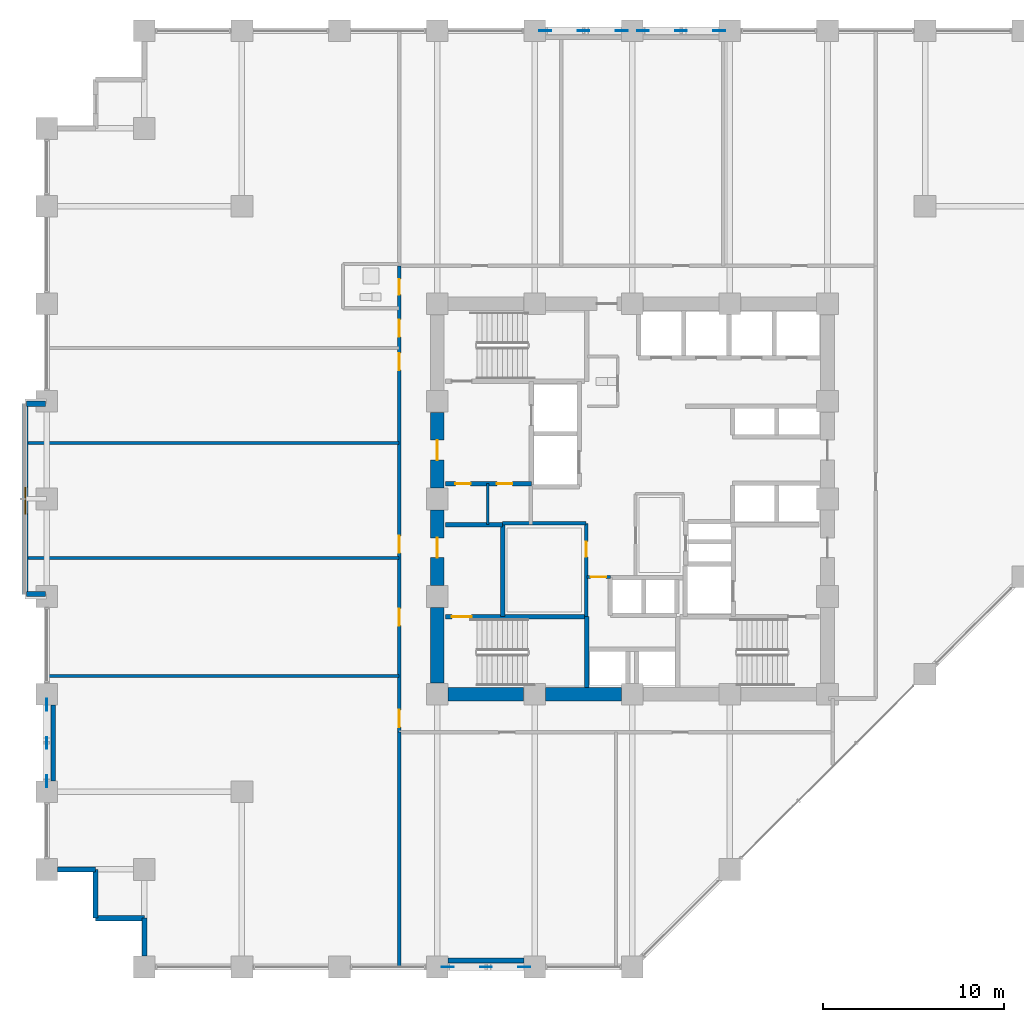
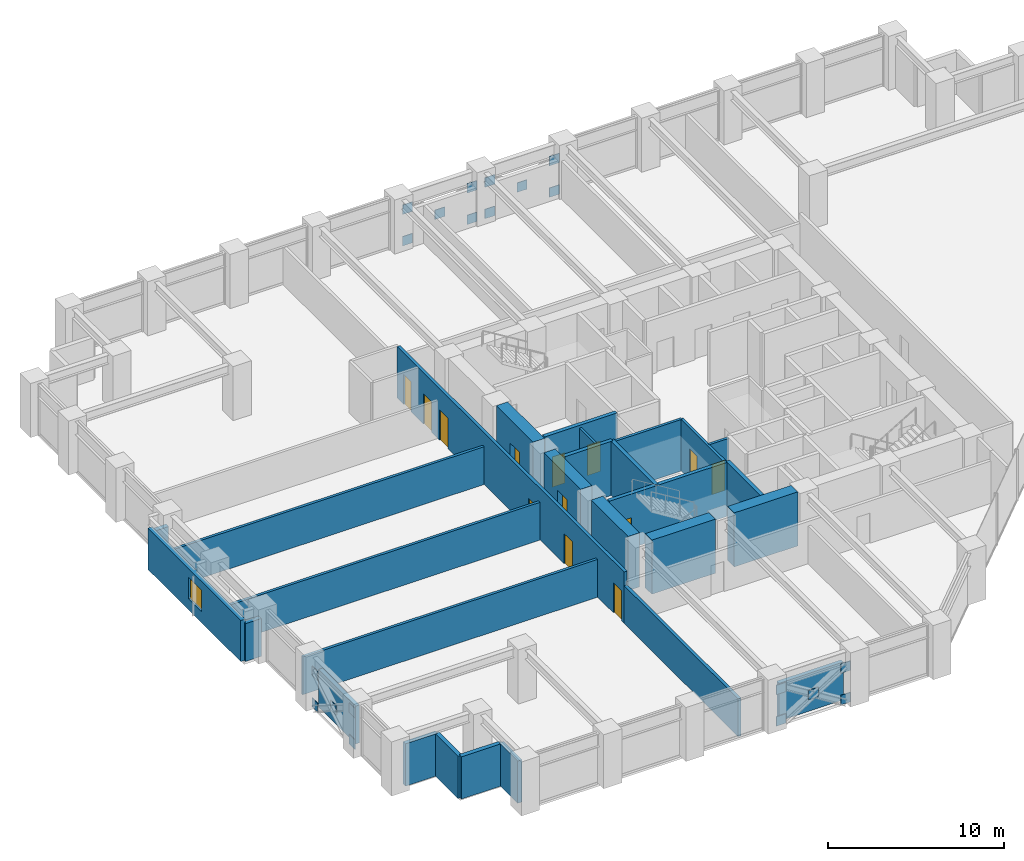
# One storey, part 19 of 26: 28 walls, 20 plates, 13 doors, 1 window, 14 openings.
"""IFC4 building model written with IfcOpenShell, lengths in metres."""

from ifc_helpers import new_model, si_unit, direction, frame, frame_2d, origin, origin_2d, place, context, subcontext, project, spatial, rectangle, extrude, material, layer, layer_set, type_object, element, fill, save


model = new_model("IFC4")

# Units and contexts
model_context = context("Model", 3, precision=1e-05, world=origin(), true_north=direction((0.0, 1.0)))
body_context = subcontext(model_context, "Body", "Model", "MODEL_VIEW")
ifc_project = project(units=[si_unit("LENGTHUNIT", "METRE"), si_unit("AREAUNIT", "SQUARE_METRE"), si_unit("VOLUMEUNIT", "CUBIC_METRE"), si_unit("PLANEANGLEUNIT", "RADIAN"), si_unit("MASSUNIT", "GRAM", prefix="KILO")], contexts=[model_context])

# Site, building, storey
site_placement = place(None, origin())
site = spatial("IfcSite", under=ifc_project, at=site_placement, CompositionType="ELEMENT")
building_placement = place(site_placement, origin())
building = spatial("IfcBuilding", under=site, at=building_placement, Name="Surkhivell Harbour Commons", CompositionType="ELEMENT")
storey_placement = place(building_placement, frame((0.0, 0.0, 60.0)))
storey = spatial("IfcBuildingStorey", under=building, at=storey_placement, Name="L15", CompositionType="ELEMENT", Elevation=60.0)

# Plates
ifc_material_1 = material(Name="Steel S460", Category="steel")
ifc_layer_1 = layer(ifc_material_1, 0.044921875)
ifc_layer_set_1 = layer_set([ifc_layer_1], Name="Steel S460")
plate_type = type_object("IfcPlateType", Name="PLT-GUS-650", PredefinedType="USERDEFINED", material=ifc_layer_set_1)
for number, where, z_axis, x_axis, name in (
    (1, (-4.81494140625, 25.89990234375, -0.08935546875), (0.0, 0.0, 1.0), (1.0, 0.0, 0.0), "L15 Perimeter Mega-Brace MB- Corner Gusset N-1"),
    (2, (-0.5849609375, 25.89990234375, -0.08935546875), (0.0, 0.0, 1.0), (1.0, 0.0, 0.0), "L15 Perimeter Mega-Brace MB- Corner Gusset N-2"),
    (3, (-4.81494140625, 25.89990234375, 2.094482421875), (0.0, 0.0, 1.0), (1.0, 0.0, 0.0), "L15 Perimeter Mega-Brace MB- Corner Gusset N-3"),
    (4, (-0.5849609375, 25.89990234375, 2.094482421875), (0.0, 0.0, 1.0), (1.0, 0.0, 0.0), "L15 Perimeter Mega-Brace MB- Corner Gusset N-4"),
    (5, (-2.699951171875, 25.89990234375, 1.00244140625), (0.0, 0.0, 1.0), (1.0, 0.0, 0.0), "L15 Perimeter Mega-Brace MB- Central Crossing Gusset N"),
    (6, (0.5849609375, 25.89990234375, -0.08935546875), (0.0, 0.0, 1.0), (1.0, 0.0, 0.0), "L15 Perimeter Mega-Brace MB- Corner Gusset N2-1"),
    (7, (4.81494140625, 25.89990234375, -0.08935546875), (0.0, 0.0, 1.0), (1.0, 0.0, 0.0), "L15 Perimeter Mega-Brace MB- Corner Gusset N2-2"),
    (8, (0.5849609375, 25.89990234375, 2.094482421875), (0.0, 0.0, 1.0), (1.0, 0.0, 0.0), "L15 Perimeter Mega-Brace MB- Corner Gusset N2-3"),
    (9, (4.81494140625, 25.89990234375, 2.094482421875), (0.0, 0.0, 1.0), (1.0, 0.0, 0.0), "L15 Perimeter Mega-Brace MB- Corner Gusset N2-4"),
    (10, (2.699951171875, 25.89990234375, 1.00244140625), (0.0, 0.0, 1.0), (1.0, 0.0, 0.0), "L15 Perimeter Mega-Brace MB- Central Crossing Gusset N2"),
    (11, (-10.215087890625, -25.89990234375, -0.08935546875), (0.0, 0.0, 1.0), (1.0, 0.0, 0.0), "L15 Perimeter Mega-Brace MB- Corner Gusset S-1"),
    (12, (-5.985107421875, -25.89990234375, -0.08935546875), (0.0, 0.0, 1.0), (1.0, 0.0, 0.0), "L15 Perimeter Mega-Brace MB- Corner Gusset S-2"),
    (13, (-10.215087890625, -25.89990234375, 2.094482421875), (0.0, 0.0, 1.0), (1.0, 0.0, 0.0), "L15 Perimeter Mega-Brace MB- Corner Gusset S-3"),
    (14, (-5.985107421875, -25.89990234375, 2.094482421875), (0.0, 0.0, 1.0), (1.0, 0.0, 0.0), "L15 Perimeter Mega-Brace MB- Corner Gusset S-4"),
    (15, (-8.10009765625, -25.89990234375, 1.00244140625), (0.0, 0.0, 1.0), (1.0, 0.0, 0.0), "L15 Perimeter Mega-Brace MB- Central Crossing Gusset S"),
    (16, (-32.39990234375, -15.614990234375, -0.08935546875), (0.0, 0.0, 1.0), (0.0, 1.0, 0.0), "L15 Perimeter Mega-Brace MB- Corner Gusset W-1"),
    (17, (-32.39990234375, -11.385009765625, -0.08935546875), (0.0, 0.0, 1.0), (0.0, 1.0, 0.0), "L15 Perimeter Mega-Brace MB- Corner Gusset W-2"),
    (18, (-32.39990234375, -15.614990234375, 2.094482421875), (0.0, 0.0, 1.0), (0.0, 1.0, 0.0), "L15 Perimeter Mega-Brace MB- Corner Gusset W-3"),
    (19, (-32.39990234375, -11.385009765625, 2.094482421875), (0.0, 0.0, 1.0), (0.0, 1.0, 0.0), "L15 Perimeter Mega-Brace MB- Corner Gusset W-4"),
    (20, (-32.39990234375, -13.5, 1.00244140625), (0.0, 0.0, 1.0), (0.0, 1.0, 0.0), "L15 Perimeter Mega-Brace MB- Central Crossing Gusset W"),
):
    element("IfcPlate", number, at=place(storey_placement, frame(where, z_axis=z_axis, x_axis=x_axis)), inside=storey, type_object=plate_type, Name=name, ObjectType="GUSSET_PLATE", PredefinedType="USERDEFINED", context=body_context, shape_type="SweptSolid", body=[
        extrude(rectangle(XDim=0.64990234375, YDim=0.044921875, at=origin_2d()), origin(), (0.0, 0.0, 1.0), 0.64990234375),
    ])

# Walls
ifc_material_2 = material(Name="Concrete C60/75", Category="concrete")
ifc_layer_2 = layer(ifc_material_2, 0.75)
ifc_layer_set_2 = layer_set([ifc_layer_2], Name="Concrete C60/75")
wall_type_1 = type_object("IfcWallType", Name="WAL-CORE-750", PredefinedType="SHEAR", material=ifc_layer_set_2)
for number, where, z_axis, x_axis, name in (
    (21, (-10.18994140625, -10.800048828125, 0.0), (0.0, 0.0, 1.0), (1.0, 0.0, 0.0), "L15 Core Shear Wall South 1"),
    (22, (-10.800048828125, -10.18994140625, 0.0), (0.0, 0.0, 1.0), (0.0, 1.0, 0.0), "L15 Core Shear Wall West 1"),
    (23, (-4.7900390625, -10.800048828125, 0.0), (0.0, 0.0, 1.0), (1.0, 0.0, 0.0), "L15 Core Shear Wall South 2"),
):
    element("IfcWall", number, at=place(storey_placement, frame(where, z_axis=z_axis, x_axis=x_axis)), inside=storey, type_object=wall_type_1, Name=name, PredefinedType="SHEAR", context=body_context, shape_type="SweptSolid", body=[
        extrude(rectangle(XDim=4.179931640625, YDim=0.75, at=frame_2d((2.08984375, 0.0))), origin(), (0.0, 0.0, 1.0), 3.75),
    ])

# Wall, opening, door
wall_1_placement = place(storey_placement, frame((-10.800048828125, -4.7900390625, 0.0), z_axis=(0.0, 0.0, 1.0), x_axis=(0.0, 1.0, 0.0)))
wall_1 = element("IfcWall", 24, at=wall_1_placement, inside=storey, type_object=wall_type_1, Name="L15 Core Shear Wall West 2", PredefinedType="SHEAR", context=body_context, shape_type="SweptSolid", body=[
    extrude(rectangle(XDim=4.179931640625, YDim=0.75, at=frame_2d((2.08984375, 0.0))), origin(), (0.0, 0.0, 1.0), 3.75),
])
opening_1_placement = place(wall_1_placement, frame((1.5400390625, 0.0, 0.0)))
opening_1 = element("IfcOpeningElement", 25, at=opening_1_placement, cuts=wall_1, Name="Opening ID-2", PredefinedType="OPENING", context=body_context, shape_type="SweptSolid", body=[
    extrude(rectangle(XDim=1.10009765625, YDim=2.10009765625, at=frame_2d((0.550048828125, 1.050048828125))), frame((0.0, 0.385009765625, 0.0), z_axis=(0.0, -1.0, 0.0), x_axis=(1.0, 0.0, 0.0)), (0.0, 0.0, 1.0), 0.77001953125),
])
ifc_material_3 = material(Name="Hardwood-veneered fire-rated door leaf", Category="wood")
door_type_1 = type_object("IfcDoorType", Name="DOR-FD60-1100", OperationType="NOTDEFINED", PredefinedType="DOOR", material=ifc_material_3)
door_1_placement = place(opening_1_placement, origin())
door_1 = element("IfcDoor", 26, at=door_1_placement, inside=storey, type_object=door_type_1, Name="L15 Stair 3 Lobby Corridor Door", OperationType="SINGLE_SWING_LEFT", OverallHeight=2.10009765625, OverallWidth=1.10009765625, PredefinedType="DOOR", context=body_context, shape_type="SweptSolid", body=[
    extrude(rectangle(XDim=1.10009765625, YDim=2.10009765625, at=frame_2d((0.550048828125, 1.050048828125))), frame((0.0, 0.02490234375, 0.0), z_axis=(0.0, -1.0, 0.0), x_axis=(1.0, 0.0, 0.0)), (0.0, 0.0, 1.0), 0.050048828125),
])
fill(opening_1, door_1)

wall_2_placement = place(storey_placement, frame((-10.800048828125, 0.610107421875, 0.0), z_axis=(0.0, 0.0, 1.0), x_axis=(0.0, 1.0, 0.0)))
wall_2 = element("IfcWall", 27, at=wall_2_placement, inside=storey, type_object=wall_type_1, Name="L15 Core Shear Wall West 3", PredefinedType="SHEAR", context=body_context, shape_type="SweptSolid", body=[
    extrude(rectangle(XDim=4.179931640625, YDim=0.75, at=frame_2d((2.08984375, 0.0))), origin(), (0.0, 0.0, 1.0), 3.75),
])
opening_2_placement = place(wall_2_placement, frame((1.5400390625, 0.0, 0.0)))
opening_2 = element("IfcOpeningElement", 28, at=opening_2_placement, cuts=wall_2, Name="Opening ID-1", PredefinedType="OPENING", context=body_context, shape_type="SweptSolid", body=[
    extrude(rectangle(XDim=1.10009765625, YDim=2.10009765625, at=frame_2d((0.550048828125, 1.050048828125))), frame((0.0, 0.385009765625, 0.0), z_axis=(0.0, -1.0, 0.0), x_axis=(1.0, 0.0, 0.0)), (0.0, 0.0, 1.0), 0.77001953125),
])
door_type_2 = type_object("IfcDoorType", Name="DOR-FD120-1100", OperationType="NOTDEFINED", PredefinedType="DOOR", material=ifc_material_3)
door_2_placement = place(opening_2_placement, origin())
door_2 = element("IfcDoor", 29, at=door_2_placement, inside=storey, type_object=door_type_2, Name="L15 Firefighting Lobby 1 Corridor Door", OperationType="SINGLE_SWING_LEFT", OverallHeight=2.10009765625, OverallWidth=1.10009765625, PredefinedType="DOOR", context=body_context, shape_type="SweptSolid", body=[
    extrude(rectangle(XDim=1.10009765625, YDim=2.10009765625, at=frame_2d((0.550048828125, 1.050048828125))), frame((0.0, 0.02490234375, 0.0), z_axis=(0.0, -1.0, 0.0), x_axis=(1.0, 0.0, 0.0)), (0.0, 0.0, 1.0), 0.050048828125),
])
fill(opening_2, door_2)

# Wall, opening, window
ifc_material_4 = material(Name="Flemish-bond kiln brick and precast concrete C45/55", Category="masonry")
ifc_layer_3 = layer(ifc_material_4, 0.300048828125)
ifc_layer_set_3 = layer_set([ifc_layer_3], Name="Flemish-bond kiln brick and precast concrete C45/55")
wall_type_2 = type_object("IfcWallType", Name="WAL-EXT-BRK300", PredefinedType="STANDARD", material=ifc_layer_set_3)
wall_3_placement = place(storey_placement, frame((-33.60009765625, 5.280029296875, 0.0), z_axis=(0.0, 0.0, 1.0), x_axis=(0.0, -1.0, 0.0)))
wall_3 = element("IfcWall", 30, at=wall_3_placement, inside=storey, type_object=wall_type_2, Name="L15 Coloured Box Front Wall 02", PredefinedType="STANDARD", context=body_context, shape_type="SweptSolid", body=[
    extrude(rectangle(XDim=10.56005859375, YDim=0.300048828125, at=frame_2d((5.280029296875, 0.0))), origin(), (0.0, 0.0, 1.0), 2.85693359375),
])
opening_3_placement = place(wall_3_placement, frame((4.6201171875, 0.0, 0.75)))
opening_3 = element("IfcOpeningElement", 31, at=opening_3_placement, cuts=wall_3, Name="Opening WN-13", PredefinedType="OPENING", context=body_context, shape_type="SweptSolid", body=[
    extrude(rectangle(XDim=1.5, YDim=1.5, at=frame_2d((0.75, 0.75))), frame((0.0, 0.159912109375, 0.0), z_axis=(0.0, -1.0, 0.0), x_axis=(1.0, 0.0, 0.0)), (0.0, 0.0, 1.0), 0.320068359375),
])
ifc_material_5 = material(Name="Thermal-break aluminium frame and double low-E glazing", Category="aluminium")
window_type = type_object("IfcWindowType", Name="WIN-BOX-1500x1500", PartitioningType="SINGLE_PANEL", PredefinedType="WINDOW", material=ifc_material_5)
window_placement = place(opening_3_placement, origin())
window = element("IfcWindow", 32, at=window_placement, inside=storey, type_object=window_type, Name="L15 Coloured Box Square Window 02-1", OverallHeight=1.5, OverallWidth=1.5, PartitioningType="SINGLE_PANEL", PredefinedType="WINDOW", context=body_context, shape_type="SweptSolid", body=[
    extrude(rectangle(XDim=1.5, YDim=1.5, at=frame_2d((0.75, 0.75))), frame((0.0, 0.030029296875, 0.0), z_axis=(0.0, -1.0, 0.0), x_axis=(1.0, 0.0, 0.0)), (0.0, 0.0, 1.0), 0.06005859375),
])
fill(opening_3, window)

# Walls
for number, where, z_axis, x_axis, name in (
    (33, (-33.52001953125, -5.260009765625, 0.0), (0.0, 0.0, 1.0), (1.0, 0.0, 0.0), "L15 Coloured Box Return Wall 02S"),
    (34, (-33.52001953125, 5.260009765625, 0.0), (0.0, 0.0, 1.0), (1.0, 0.0, 0.0), "L15 Coloured Box Return Wall 02N"),
):
    element("IfcWall", number, at=place(storey_placement, frame(where, z_axis=z_axis, x_axis=x_axis)), inside=storey, type_object=wall_type_2, Name=name, PredefinedType="STANDARD", context=body_context, shape_type="SweptSolid", body=[
        extrude(rectangle(XDim=1.0400390625, YDim=0.300048828125, at=frame_2d((0.52001953125, 0.0))), origin(), (0.0, 0.0, 1.0), 2.623046875),
    ])
ifc_material_6 = material(Name="Pale-metal insulated precast concrete C45/55", Category="concrete")
ifc_layer_4 = layer(ifc_material_6, 0.260009765625)
ifc_layer_set_4 = layer_set([ifc_layer_4], Name="Pale-metal insulated precast concrete C45/55")
wall_type_3 = type_object("IfcWallType", Name="WAL-EXT-MTL260", PredefinedType="STANDARD", material=ifc_layer_set_4)
wall_4_placement = place(storey_placement, frame((-10.201904296875, -25.5400390625, 0.0), z_axis=(0.0, 0.0, 1.0), x_axis=(1.0, 0.0, 0.0)))
element("IfcWall", 35, at=wall_4_placement, inside=storey, type_object=wall_type_3, Name="L15 Braced-Bay Insulated Spandrel Backing S", PredefinedType="STANDARD", context=body_context, shape_type="SweptSolid", body=[
    extrude(rectangle(XDim=4.203857421875, YDim=0.260009765625, at=frame_2d((2.10205078125, 0.0))), origin(), (0.0, 0.0, 1.0), 2.623046875),
])
wall_5_placement = place(storey_placement, frame((-32.0400390625, -15.60205078125, 0.0), z_axis=(0.0, 0.0, 1.0), x_axis=(0.0, 1.0, 0.0)))
element("IfcWall", 36, at=wall_5_placement, inside=storey, type_object=wall_type_3, Name="L15 Braced-Bay Insulated Spandrel Backing W", PredefinedType="STANDARD", context=body_context, shape_type="SweptSolid", body=[
    extrude(rectangle(XDim=4.2041015625, YDim=0.260009765625, at=frame_2d((2.10205078125, 0.0))), origin(), (0.0, 0.0, 1.0), 2.623046875),
])
ifc_material_7 = material(Name="Terracotta-clad reinforced concrete C45/55", Category="masonry")
ifc_layer_5 = layer(ifc_material_7, 0.280029296875)
ifc_layer_set_5 = layer_set([ifc_layer_5], Name="Terracotta-clad reinforced concrete C45/55")
wall_type_4 = type_object("IfcWallType", Name="WAL-EXT-TER280", PredefinedType="STANDARD", material=ifc_layer_set_5)
wall_6_placement = place(storey_placement, frame((-31.802001953125, -20.5, 0.0), z_axis=(0.0, 0.0, 1.0), x_axis=(1.0, 0.0, 0.0)))
element("IfcWall", 37, at=wall_6_placement, inside=storey, type_object=wall_type_4, Name="L15 Serrated Corner Facade Wall 13", PredefinedType="STANDARD", context=body_context, shape_type="SweptSolid", body=[
    extrude(rectangle(XDim=2.10205078125, YDim=0.280029296875, at=frame_2d((1.051025390625, 0.0))), origin(), (0.0, 0.0, 1.0), 2.929931640625),
])
for number, where, z_axis, x_axis, name in (
    (38, (-29.699951171875, -20.5, 0.0), (0.0, 0.0, 1.0), (0.0, -1.0, 0.0), "L15 Serrated Corner Facade Wall 14"),
    (39, (-29.699951171875, -23.199951171875, 0.0), (0.0, 0.0, 1.0), (1.0, 0.0, 0.0), "L15 Serrated Corner Facade Wall 15"),
):
    element("IfcWall", number, at=place(storey_placement, frame(where, z_axis=z_axis, x_axis=x_axis)), inside=storey, type_object=wall_type_4, Name=name, PredefinedType="STANDARD", context=body_context, shape_type="SweptSolid", body=[
        extrude(rectangle(XDim=2.699951171875, YDim=0.280029296875, at=frame_2d((1.35009765625, 0.0))), origin(), (0.0, 0.0, 1.0), 2.929931640625),
    ])
wall_7_placement = place(storey_placement, frame((-27.0, -23.199951171875, 0.0), z_axis=(0.0, 0.0, 1.0), x_axis=(0.0, -1.0, 0.0)))
element("IfcWall", 40, at=wall_7_placement, inside=storey, type_object=wall_type_4, Name="L15 Serrated Corner Facade Wall 16", PredefinedType="STANDARD", context=body_context, shape_type="SweptSolid", body=[
    extrude(rectangle(XDim=2.10205078125, YDim=0.280029296875, at=frame_2d((1.051025390625, 0.0))), origin(), (0.0, 0.0, 1.0), 2.929931640625),
])
ifc_material_8 = material(Name="Twin-stud acoustic fireboard partition", Category="other")
ifc_layer_6 = layer(ifc_material_8, 0.14990234375)
ifc_layer_set_6 = layer_set([ifc_layer_6], Name="Twin-stud acoustic fireboard partition")
wall_type_5 = type_object("IfcWallType", Name="WAL-INT-150", PredefinedType="PARTITIONING", material=ifc_layer_set_6)
wall_8_placement = place(storey_placement, frame((-8.0, -1.419921875, 0.0), z_axis=(0.0, 0.0, 1.0), x_axis=(0.0, 1.0, 0.0)))
element("IfcWall", 41, at=wall_8_placement, inside=storey, type_object=wall_type_5, Name="L15 West Core Cut D1", PredefinedType="PARTITIONING", context=body_context, shape_type="SweptSolid", body=[
    extrude(rectangle(XDim=2.27001953125, YDim=0.14990234375, at=frame_2d((1.135009765625, 0.0))), origin(), (0.0, 0.0, 1.0), 3.570068359375),
])

# Wall, opening, door
ifc_material_9 = material(Name="High-density acoustic blockwork fire partition", Category="masonry")
ifc_layer_7 = layer(ifc_material_9, 0.175048828125)
ifc_layer_set_7 = layer_set([ifc_layer_7], Name="High-density acoustic blockwork fire partition")
wall_type_6 = type_object("IfcWallType", Name="WAL-INT-175", PredefinedType="PARTITIONING", material=ifc_layer_set_7)
wall_9_placement = place(storey_placement, frame((-2.550048828125, -6.510009765625, 0.0), z_axis=(0.0, 0.0, 1.0), x_axis=(0.0, 1.0, 0.0)))
wall_9 = element("IfcWall", 42, at=wall_9_placement, inside=storey, type_object=wall_type_6, Name="L15 Core Service Bay East Wall", PredefinedType="PARTITIONING", context=body_context, shape_type="SweptSolid", body=[
    extrude(rectangle(XDim=5.159912109375, YDim=0.175048828125, at=frame_2d((2.580078125, 0.0))), origin(), (0.0, 0.0, 1.0), 3.570068359375),
])
opening_4_placement = place(wall_9_placement, frame((3.300048828125, 0.0, 0.0)))
opening_4 = element("IfcOpeningElement", 43, at=opening_4_placement, cuts=wall_9, Name="Opening ID-6", PredefinedType="OPENING", context=body_context, shape_type="SweptSolid", body=[
    extrude(rectangle(XDim=0.85009765625, YDim=2.10009765625, at=frame_2d((0.425048828125, 1.050048828125))), frame((0.0, 0.097412109375, 0.0), z_axis=(0.0, -1.0, 0.0), x_axis=(1.0, 0.0, 0.0)), (0.0, 0.0, 1.0), 0.195068359375),
])
door_type_3 = type_object("IfcDoorType", Name="DOR-FD30-850", OperationType="NOTDEFINED", PredefinedType="DOOR", material=ifc_material_3)
door_3_placement = place(opening_4_placement, origin())
door_3 = element("IfcDoor", 44, at=door_3_placement, inside=storey, type_object=door_type_3, Name="L15 Core Quiet Reading Door", OperationType="SINGLE_SWING_RIGHT", OverallHeight=2.10009765625, OverallWidth=0.85009765625, PredefinedType="DOOR", context=body_context, shape_type="SweptSolid", body=[
    extrude(rectangle(XDim=0.85009765625, YDim=2.10009765625, at=frame_2d((0.425048828125, 1.050048828125))), frame((0.0, 0.02490234375, 0.0), z_axis=(0.0, -1.0, 0.0), x_axis=(1.0, 0.0, 0.0)), (0.0, 0.0, 1.0), 0.050048828125),
])
fill(opening_4, door_3)

# Wall
wall_10_placement = place(storey_placement, frame((-7.179931640625, -1.35009765625, 0.0), z_axis=(0.0, 0.0, 1.0), x_axis=(1.0, 0.0, 0.0)))
element("IfcWall", 45, at=wall_10_placement, inside=storey, type_object=wall_type_6, Name="L15 Core Service Bay North Wall", PredefinedType="PARTITIONING", context=body_context, shape_type="SweptSolid", body=[
    extrude(rectangle(XDim=4.6298828125, YDim=0.175048828125, at=frame_2d((2.31494140625, 0.0))), origin(), (0.0, 0.0, 1.0), 3.570068359375),
])

# Wall, opening, door
wall_11_placement = place(storey_placement, frame((-2.52001953125, -4.320068359375, 0.0), z_axis=(0.0, 0.0, 1.0), x_axis=(1.0, 0.0, 0.0)))
wall_11 = element("IfcWall", 46, at=wall_11_placement, inside=storey, type_object=wall_type_6, Name="L15 High-Rise Lobby North Portal Wall", PredefinedType="PARTITIONING", context=body_context, shape_type="SweptSolid", body=[
    extrude(rectangle(XDim=1.300048828125, YDim=0.175048828125, at=frame_2d((0.64990234375, 0.0))), origin(), (0.0, 0.0, 1.0), 3.570068359375),
])
opening_5_placement = place(wall_11_placement, frame((0.219970703125, 0.0, 0.0)))
opening_5 = element("IfcOpeningElement", 47, at=opening_5_placement, cuts=wall_11, Name="Opening ID-6", PredefinedType="OPENING", context=body_context, shape_type="SweptSolid", body=[
    extrude(rectangle(XDim=0.85009765625, YDim=2.10009765625, at=frame_2d((0.425048828125, 1.050048828125))), frame((0.0, 0.097412109375, 0.0), z_axis=(0.0, -1.0, 0.0), x_axis=(1.0, 0.0, 0.0)), (0.0, 0.0, 1.0), 0.195068359375),
])
door_4_placement = place(opening_5_placement, origin())
door_4 = element("IfcDoor", 48, at=door_4_placement, inside=storey, type_object=door_type_3, Name="L15 High-Rise Lift Lobby North Door", OperationType="SINGLE_SWING_LEFT", OverallHeight=2.10009765625, OverallWidth=0.85009765625, PredefinedType="DOOR", context=body_context, shape_type="SweptSolid", body=[
    extrude(rectangle(XDim=0.85009765625, YDim=2.10009765625, at=frame_2d((0.425048828125, 1.050048828125))), frame((0.0, 0.02490234375, 0.0), z_axis=(0.0, -1.0, 0.0), x_axis=(1.0, 0.0, 0.0)), (0.0, 0.0, 1.0), 0.050048828125),
])
fill(opening_5, door_4)

# Walls
for number, where, z_axis, x_axis, name in (
    (49, (-33.5400390625, -3.27001953125, 0.0), (0.0, 0.0, 1.0), (1.0, 0.0, 0.0), "L15 West Partition BDP1"),
    (50, (-33.5400390625, 3.090087890625, 0.0), (0.0, 0.0, 1.0), (1.0, 0.0, 0.0), "L15 West Partition BDP2"),
):
    element("IfcWall", number, at=place(storey_placement, frame(where, z_axis=z_axis, x_axis=x_axis)), inside=storey, type_object=wall_type_6, Name=name, PredefinedType="PARTITIONING", context=body_context, shape_type="SweptSolid", body=[
        extrude(rectangle(XDim=20.64013671875, YDim=0.175048828125, at=frame_2d((10.320068359375, 0.0))), origin(), (0.0, 0.0, 1.0), 2.623046875),
    ])
wall_12_placement = place(storey_placement, frame((-32.340087890625, -9.800048828125, 0.0), z_axis=(0.0, 0.0, 1.0), x_axis=(1.0, 0.0, 0.0)))
element("IfcWall", 51, at=wall_12_placement, inside=storey, type_object=wall_type_6, Name="L15 West Partition PBOT", PredefinedType="PARTITIONING", context=body_context, shape_type="SweptSolid", body=[
    extrude(rectangle(XDim=19.440185546875, YDim=0.175048828125, at=frame_2d((9.72021484375, 0.0))), origin(), (0.0, 0.0, 1.0), 2.623046875),
])
ifc_material_10 = material(Name="Autoclaved aerated concrete blockwork and fire plaster", Category="masonry")
ifc_layer_8 = layer(ifc_material_10, 0.199951171875)
ifc_layer_set_8 = layer_set([ifc_layer_8], Name="Autoclaved aerated concrete blockwork and fire plaster")
wall_type_7 = type_object("IfcWallType", Name="WAL-INT-200", PredefinedType="PARTITIONING", material=ifc_layer_set_8)
wall_13_placement = place(storey_placement, frame((-12.89990234375, -25.840087890625, 0.0), z_axis=(0.0, 0.0, 1.0), x_axis=(0.0, 1.0, 0.0)))
element("IfcWall", 52, at=wall_13_placement, inside=storey, type_object=wall_type_7, Name="L15 South-West Wing Corner Divider", PredefinedType="PARTITIONING", context=body_context, shape_type="SweptSolid", body=[
    extrude(rectangle(XDim=12.940185546875, YDim=0.199951171875, at=frame_2d((6.47021484375, 0.0))), origin(), (0.0, 0.0, 1.0), 2.623046875),
])

# Wall, openings, doors
wall_14_placement = place(storey_placement, frame((-12.89990234375, -12.89990234375, 0.0), z_axis=(0.0, 0.0, 1.0), x_axis=(0.0, 1.0, 0.0)))
wall_14 = element("IfcWall", 53, at=wall_14_placement, inside=storey, type_object=wall_type_7, Name="L15 Corridor West Wall", PredefinedType="PARTITIONING", context=body_context, shape_type="SweptSolid", body=[
    extrude(rectangle(XDim=25.7998046875, YDim=0.199951171875, at=frame_2d((12.89990234375, 0.0))), origin(), (0.0, 0.0, 1.0), 3.570068359375),
])
opening_6_placement = place(wall_14_placement, frame((0.280029296875, 0.0, 0.0)))
opening_6 = element("IfcOpeningElement", 54, at=opening_6_placement, cuts=wall_14, Name="Opening ID-4", PredefinedType="OPENING", context=body_context, shape_type="SweptSolid", body=[
    extrude(rectangle(XDim=0.949951171875, YDim=2.10009765625, at=frame_2d((0.47509765625, 1.050048828125))), frame((0.0, 0.10986328125, 0.0), z_axis=(0.0, -1.0, 0.0), x_axis=(1.0, 0.0, 0.0)), (0.0, 0.0, 1.0), 0.219970703125),
])
opening_7_placement = place(wall_14_placement, frame((24.205078125, 0.0, 0.0)))
opening_7 = element("IfcOpeningElement", 55, at=opening_7_placement, cuts=wall_14, Name="Opening ID-6", PredefinedType="OPENING", context=body_context, shape_type="SweptSolid", body=[
    extrude(rectangle(XDim=0.85009765625, YDim=2.10009765625, at=frame_2d((0.425048828125, 1.050048828125))), frame((0.0, 0.10986328125, 0.0), z_axis=(0.0, -1.0, 0.0), x_axis=(1.0, 0.0, 0.0)), (0.0, 0.0, 1.0), 0.219970703125),
])
opening_8_placement = place(wall_14_placement, frame((21.8701171875, 0.0, 0.0)))
opening_8 = element("IfcOpeningElement", 56, at=opening_8_placement, cuts=wall_14, Name="Opening ID-4", PredefinedType="OPENING", context=body_context, shape_type="SweptSolid", body=[
    extrude(rectangle(XDim=0.949951171875, YDim=2.10009765625, at=frame_2d((0.47509765625, 1.050048828125))), frame((0.0, 0.10986328125, 0.0), z_axis=(0.0, -1.0, 0.0), x_axis=(1.0, 0.0, 0.0)), (0.0, 0.0, 1.0), 0.219970703125),
])
opening_9_placement = place(wall_14_placement, frame((5.885009765625, 0.0, 0.0)))
opening_9 = element("IfcOpeningElement", 57, at=opening_9_placement, cuts=wall_14, Name="Opening ID-4", PredefinedType="OPENING", context=body_context, shape_type="SweptSolid", body=[
    extrude(rectangle(XDim=0.949951171875, YDim=2.10009765625, at=frame_2d((0.47509765625, 1.050048828125))), frame((0.0, 0.10986328125, 0.0), z_axis=(0.0, -1.0, 0.0), x_axis=(1.0, 0.0, 0.0)), (0.0, 0.0, 1.0), 0.219970703125),
])
opening_10_placement = place(wall_14_placement, frame((9.909912109375, 0.0, 0.0)))
opening_10 = element("IfcOpeningElement", 58, at=opening_10_placement, cuts=wall_14, Name="Opening ID-4", PredefinedType="OPENING", context=body_context, shape_type="SweptSolid", body=[
    extrude(rectangle(XDim=0.949951171875, YDim=2.10009765625, at=frame_2d((0.47509765625, 1.050048828125))), frame((0.0, 0.10986328125, 0.0), z_axis=(0.0, -1.0, 0.0), x_axis=(1.0, 0.0, 0.0)), (0.0, 0.0, 1.0), 0.219970703125),
])
opening_11_placement = place(wall_14_placement, frame((20.02001953125, 0.0, 0.0)))
opening_11 = element("IfcOpeningElement", 59, at=opening_11_placement, cuts=wall_14, Name="Opening ID-4", PredefinedType="OPENING", context=body_context, shape_type="SweptSolid", body=[
    extrude(rectangle(XDim=0.949951171875, YDim=2.10009765625, at=frame_2d((0.47509765625, 1.050048828125))), frame((0.0, 0.10986328125, 0.0), z_axis=(0.0, -1.0, 0.0), x_axis=(1.0, 0.0, 0.0)), (0.0, 0.0, 1.0), 0.219970703125),
])
door_5_placement = place(opening_7_placement, origin())
door_5 = element("IfcDoor", 60, at=door_5_placement, inside=storey, type_object=door_type_3, Name="L15 Communal Shower Bathroom West Door", OperationType="SINGLE_SWING_RIGHT", OverallHeight=2.10009765625, OverallWidth=0.85009765625, PredefinedType="DOOR", context=body_context, shape_type="SweptSolid", body=[
    extrude(rectangle(XDim=0.85009765625, YDim=2.10009765625, at=frame_2d((0.425048828125, 1.050048828125))), frame((0.0, 0.02490234375, 0.0), z_axis=(0.0, -1.0, 0.0), x_axis=(1.0, 0.0, 0.0)), (0.0, 0.0, 1.0), 0.050048828125),
])
fill(opening_7, door_5)
door_type_4 = type_object("IfcDoorType", Name="DOR-FD60-950", OperationType="NOTDEFINED", PredefinedType="DOOR", material=ifc_material_3)
door_6_placement = place(opening_6_placement, origin())
door_6 = element("IfcDoor", 61, at=door_6_placement, inside=storey, type_object=door_type_4, Name="L15 Shared Communal Kitchen West Door", OperationType="SINGLE_SWING_LEFT", OverallHeight=2.10009765625, OverallWidth=0.949951171875, PredefinedType="DOOR", context=body_context, shape_type="SweptSolid", body=[
    extrude(rectangle(XDim=0.949951171875, YDim=2.10009765625, at=frame_2d((0.47509765625, 1.050048828125))), frame((0.0, 0.02490234375, 0.0), z_axis=(0.0, -1.0, 0.0), x_axis=(1.0, 0.0, 0.0)), (0.0, 0.0, 1.0), 0.050048828125),
])
fill(opening_6, door_6)
door_7_placement = place(opening_8_placement, origin())
door_7 = element("IfcDoor", 62, at=door_7_placement, inside=storey, type_object=door_type_4, Name="L15 Academic Reading Commons West Door", OperationType="SINGLE_SWING_LEFT", OverallHeight=2.10009765625, OverallWidth=0.949951171875, PredefinedType="DOOR", context=body_context, shape_type="SweptSolid", body=[
    extrude(rectangle(XDim=0.949951171875, YDim=2.10009765625, at=frame_2d((0.47509765625, 1.050048828125))), frame((0.0, 0.02490234375, 0.0), z_axis=(0.0, -1.0, 0.0), x_axis=(1.0, 0.0, 0.0)), (0.0, 0.0, 1.0), 0.050048828125),
])
fill(opening_8, door_7)
door_8_placement = place(opening_9_placement, origin())
door_8 = element("IfcDoor", 63, at=door_8_placement, inside=storey, type_object=door_type_4, Name="L15 Hostel Cluster Bedroom 1 West Door", OperationType="SINGLE_SWING_RIGHT", OverallHeight=2.10009765625, OverallWidth=0.949951171875, PredefinedType="DOOR", context=body_context, shape_type="SweptSolid", body=[
    extrude(rectangle(XDim=0.949951171875, YDim=2.10009765625, at=frame_2d((0.47509765625, 1.050048828125))), frame((0.0, 0.02490234375, 0.0), z_axis=(0.0, -1.0, 0.0), x_axis=(1.0, 0.0, 0.0)), (0.0, 0.0, 1.0), 0.050048828125),
])
fill(opening_9, door_8)
door_9_placement = place(opening_10_placement, origin())
door_9 = element("IfcDoor", 64, at=door_9_placement, inside=storey, type_object=door_type_4, Name="L15 Co-Living Dormitory Bedroom 2 West Door", OperationType="SINGLE_SWING_LEFT", OverallHeight=2.10009765625, OverallWidth=0.949951171875, PredefinedType="DOOR", context=body_context, shape_type="SweptSolid", body=[
    extrude(rectangle(XDim=0.949951171875, YDim=2.10009765625, at=frame_2d((0.47509765625, 1.050048828125))), frame((0.0, 0.02490234375, 0.0), z_axis=(0.0, -1.0, 0.0), x_axis=(1.0, 0.0, 0.0)), (0.0, 0.0, 1.0), 0.050048828125),
])
fill(opening_10, door_9)
door_10_placement = place(opening_11_placement, origin())
door_10 = element("IfcDoor", 65, at=door_10_placement, inside=storey, type_object=door_type_4, Name="L15 Hostel Cluster Bedroom 3 West Door", OperationType="SINGLE_SWING_RIGHT", OverallHeight=2.10009765625, OverallWidth=0.949951171875, PredefinedType="DOOR", context=body_context, shape_type="SweptSolid", body=[
    extrude(rectangle(XDim=0.949951171875, YDim=2.10009765625, at=frame_2d((0.47509765625, 1.050048828125))), frame((0.0, 0.02490234375, 0.0), z_axis=(0.0, -1.0, 0.0), x_axis=(1.0, 0.0, 0.0)), (0.0, 0.0, 1.0), 0.050048828125),
])
fill(opening_11, door_10)

ifc_material_11 = material(Name="Concrete C50/60", Category="concrete")
ifc_layer_9 = layer(ifc_material_11, 0.25)
ifc_layer_set_9 = layer_set([ifc_layer_9], Name="Concrete C50/60")
wall_type_8 = type_object("IfcWallType", Name="WAL-SHAFT-250", PredefinedType="SHEAR", material=ifc_layer_set_9)
wall_15_placement = place(storey_placement, frame((-10.340087890625, 0.85009765625, 0.0), z_axis=(0.0, 0.0, 1.0), x_axis=(1.0, 0.0, 0.0)))
wall_15 = element("IfcWall", 66, at=wall_15_placement, inside=storey, type_object=wall_type_8, Name="L15 Firefighting Lobby 1 South Wall", PredefinedType="SHEAR", context=body_context, shape_type="SweptSolid", body=[
    extrude(rectangle(XDim=4.760009765625, YDim=0.25, at=frame_2d((2.3798828125, 0.0))), origin(), (0.0, 0.0, 1.0), 3.75),
])
opening_12_placement = place(wall_15_placement, frame((0.550048828125, 0.0, 0.0)))
opening_12 = element("IfcOpeningElement", 67, at=opening_12_placement, cuts=wall_15, Name="Opening ID-6", PredefinedType="OPENING", context=body_context, shape_type="SweptSolid", body=[
    extrude(rectangle(XDim=0.85009765625, YDim=2.10009765625, at=frame_2d((0.425048828125, 1.050048828125))), frame((0.0, 0.135009765625, 0.0), z_axis=(0.0, -1.0, 0.0), x_axis=(1.0, 0.0, 0.0)), (0.0, 0.0, 1.0), 0.27001953125),
])
opening_13_placement = place(wall_15_placement, frame((2.85009765625, 0.0, 0.0)))
opening_13 = element("IfcOpeningElement", 68, at=opening_13_placement, cuts=wall_15, Name="Opening ID-6", PredefinedType="OPENING", context=body_context, shape_type="SweptSolid", body=[
    extrude(rectangle(XDim=0.85009765625, YDim=2.10009765625, at=frame_2d((0.425048828125, 1.050048828125))), frame((0.0, 0.135009765625, 0.0), z_axis=(0.0, -1.0, 0.0), x_axis=(1.0, 0.0, 0.0)), (0.0, 0.0, 1.0), 0.27001953125),
])
door_11_placement = place(opening_12_placement, origin())
door_11 = element("IfcDoor", 69, at=door_11_placement, inside=storey, type_object=door_type_3, Name="L15 West Seminar Pod Door", OperationType="SINGLE_SWING_LEFT", OverallHeight=2.10009765625, OverallWidth=0.85009765625, PredefinedType="DOOR", context=body_context, shape_type="SweptSolid", body=[
    extrude(rectangle(XDim=0.85009765625, YDim=2.10009765625, at=frame_2d((0.425048828125, 1.050048828125))), frame((0.0, 0.02490234375, 0.0), z_axis=(0.0, -1.0, 0.0), x_axis=(1.0, 0.0, 0.0)), (0.0, 0.0, 1.0), 0.050048828125),
])
fill(opening_12, door_11)
door_12_placement = place(opening_13_placement, origin())
door_12 = element("IfcDoor", 70, at=door_12_placement, inside=storey, type_object=door_type_3, Name="L15 West Reading Pod Door", OperationType="SINGLE_SWING_RIGHT", OverallHeight=2.10009765625, OverallWidth=0.85009765625, PredefinedType="DOOR", context=body_context, shape_type="SweptSolid", body=[
    extrude(rectangle(XDim=0.85009765625, YDim=2.10009765625, at=frame_2d((0.425048828125, 1.050048828125))), frame((0.0, 0.02490234375, 0.0), z_axis=(0.0, -1.0, 0.0), x_axis=(1.0, 0.0, 0.0)), (0.0, 0.0, 1.0), 0.050048828125),
])
fill(opening_13, door_12)

# Walls
wall_16_placement = place(storey_placement, frame((-2.510009765625, -10.425048828125, 0.0), z_axis=(0.0, 0.0, 1.0), x_axis=(0.0, 1.0, 0.0)))
element("IfcWall", 71, at=wall_16_placement, inside=storey, type_object=wall_type_8, Name="L15 Stair ST3 East Shear Wall", PredefinedType="SHEAR", context=body_context, shape_type="SweptSolid", body=[
    extrude(rectangle(XDim=3.9150390625, YDim=0.25, at=frame_2d((1.95751953125, 0.0))), origin(), (0.0, 0.0, 1.0), 3.75),
])
wall_17_placement = place(storey_placement, frame((-7.179931640625, -6.510009765625, 0.0), z_axis=(0.0, 0.0, 1.0), x_axis=(0.0, 1.0, 0.0)))
element("IfcWall", 72, at=wall_17_placement, inside=storey, type_object=wall_type_8, Name="L15 Stair 3 Lobby East Wall", PredefinedType="SHEAR", context=body_context, shape_type="SweptSolid", body=[
    extrude(rectangle(XDim=5.090087890625, YDim=0.25, at=frame_2d((2.544921875, 0.0))), origin(), (0.0, 0.0, 1.0), 3.75),
])
wall_18_placement = place(storey_placement, frame((-10.340087890625, -1.419921875, 0.0), z_axis=(0.0, 0.0, 1.0), x_axis=(1.0, 0.0, 0.0)))
element("IfcWall", 73, at=wall_18_placement, inside=storey, type_object=wall_type_8, Name="L15 Stair 3 Lobby North Wall", PredefinedType="SHEAR", context=body_context, shape_type="SweptSolid", body=[
    extrude(rectangle(XDim=3.16015625, YDim=0.25, at=frame_2d((1.580078125, 0.0))), origin(), (0.0, 0.0, 1.0), 3.75),
])

# Wall, opening, door
wall_19_placement = place(storey_placement, frame((-10.340087890625, -6.510009765625, 0.0), z_axis=(0.0, 0.0, 1.0), x_axis=(1.0, 0.0, 0.0)))
wall_19 = element("IfcWall", 74, at=wall_19_placement, inside=storey, type_object=wall_type_8, Name="L15 Stair ST3 North Shear Wall", PredefinedType="SHEAR", context=body_context, shape_type="SweptSolid", body=[
    extrude(rectangle(XDim=7.7001953125, YDim=0.25, at=frame_2d((3.85009765625, 0.0))), origin(), (0.0, 0.0, 1.0), 3.75),
])
opening_14_placement = place(wall_19_placement, frame((0.35009765625, 0.0, 0.0)))
opening_14 = element("IfcOpeningElement", 75, at=opening_14_placement, cuts=wall_19, Name="Opening ID-2", PredefinedType="OPENING", context=body_context, shape_type="SweptSolid", body=[
    extrude(rectangle(XDim=1.10009765625, YDim=2.10009765625, at=frame_2d((0.550048828125, 1.050048828125))), frame((0.0, 0.135009765625, 0.0), z_axis=(0.0, -1.0, 0.0), x_axis=(1.0, 0.0, 0.0)), (0.0, 0.0, 1.0), 0.27001953125),
])
door_13_placement = place(opening_14_placement, origin())
door_13 = element("IfcDoor", 76, at=door_13_placement, inside=storey, type_object=door_type_1, Name="L15 Stair ST3 Exit Door", OperationType="SINGLE_SWING_RIGHT", OverallHeight=2.10009765625, OverallWidth=1.10009765625, PredefinedType="DOOR", context=body_context, shape_type="SweptSolid", body=[
    extrude(rectangle(XDim=1.10009765625, YDim=2.10009765625, at=frame_2d((0.550048828125, 1.050048828125))), frame((0.0, 0.02490234375, 0.0), z_axis=(0.0, -1.0, 0.0), x_axis=(1.0, 0.0, 0.0)), (0.0, 0.0, 1.0), 0.050048828125),
])
fill(opening_14, door_13)

save(model, "model.ifc")
